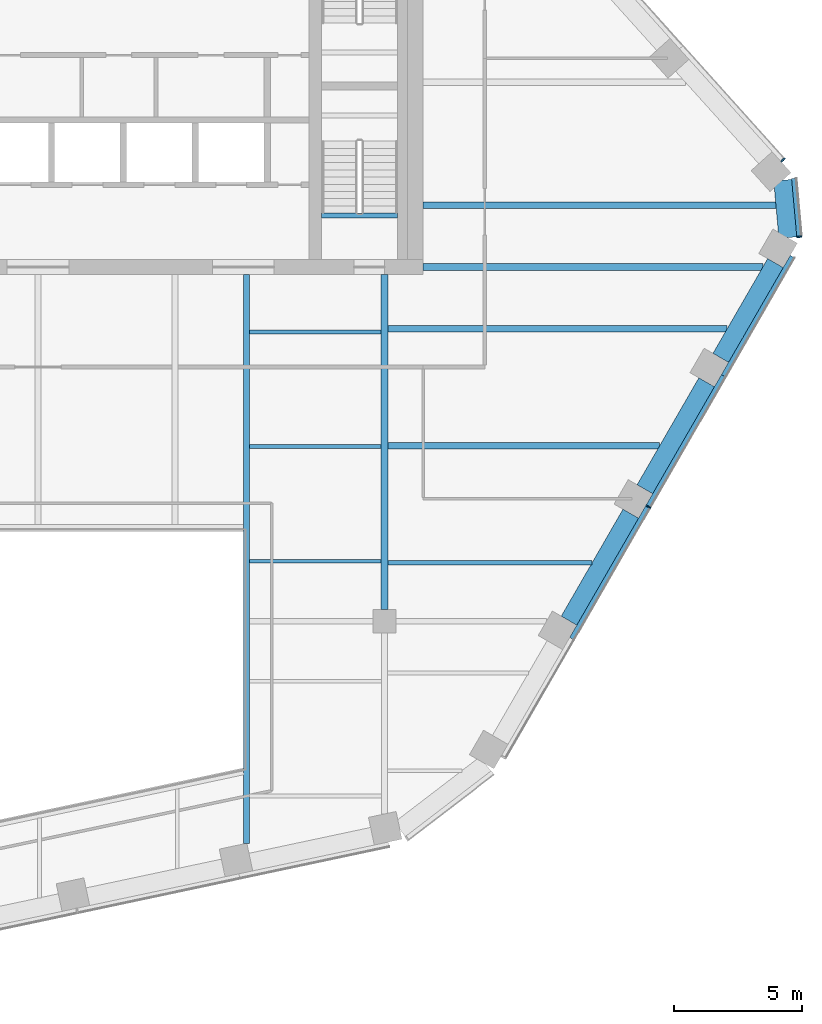
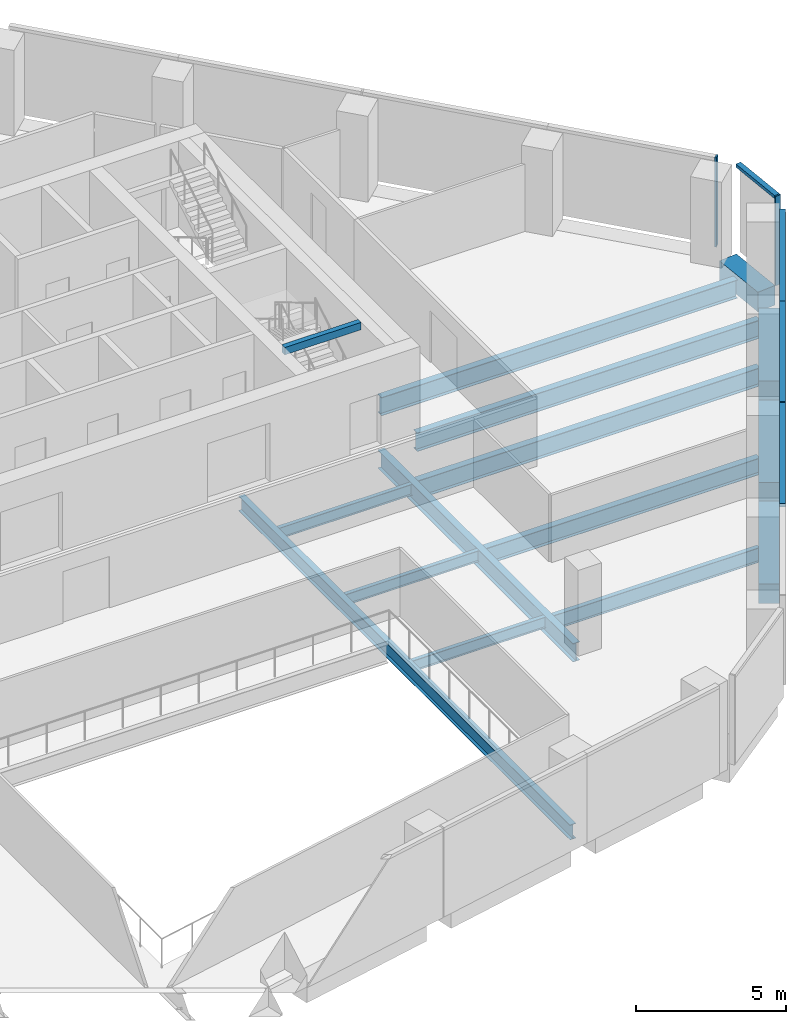
# One storey, part 5 of 15: 15 beams, 7 members, 3 elements without a shape of their own.
"""IFC4 building model written with IfcOpenShell, lengths in metres."""

from ifc_helpers import new_model, si_unit, direction, frame, origin, origin_2d, place, context, subcontext, project, spatial, rectangle, i_section, extrude, material, layer, layer_set, material_profile, profile_set, type_object, element, aggregate, save


model = new_model("IFC4")

# Units and contexts
model_context = context("Model", 3, precision=1e-05, world=origin(), true_north=direction((0.0, 1.0)))
body_context = subcontext(model_context, "Body", "Model", "MODEL_VIEW")
ifc_project = project(units=[si_unit("LENGTHUNIT", "METRE"), si_unit("AREAUNIT", "SQUARE_METRE"), si_unit("VOLUMEUNIT", "CUBIC_METRE"), si_unit("PLANEANGLEUNIT", "RADIAN"), si_unit("MASSUNIT", "GRAM", prefix="KILO")], contexts=[model_context])

# Site, building, storey
site_placement = place(None, origin())
site = spatial("IfcSite", under=ifc_project, at=site_placement, CompositionType="ELEMENT")
building_placement = place(site_placement, origin())
building = spatial("IfcBuilding", under=site, at=building_placement, Name="Isthmus Gate Tower", CompositionType="ELEMENT")
storey_placement = place(building_placement, frame((0.0, 0.0, 241.85009765625)))
storey = spatial("IfcBuildingStorey", under=building, at=storey_placement, Name="L61", CompositionType="ELEMENT", Elevation=241.85009765625)

# Curtain wall, member
ifc_material_1 = material(Name="Aluminium, pale champagne anodised", Category="aluminium")
ifc_layer = layer(ifc_material_1, 0.199951171875)
ifc_layer_set = layer_set([ifc_layer], Name="CW-1 UNITISED CURTAIN WALL 200 DEEP")
curtain_wall_type = type_object("IfcCurtainWallType", Name="CW-1 UNITISED CURTAIN WALL 200 DEEP", PredefinedType="NOTDEFINED", material=ifc_layer_set)
curtain_wall_1_placement = place(storey_placement, origin())
curtain_wall_1 = element("IfcCurtainWall", 1, at=curtain_wall_1_placement, inside=storey, type_object=curtain_wall_type, Name="CW-1 SE L61", PredefinedType="NOTDEFINED")
ifc_material_2 = material(Name="Aluminium, pale champagne anodised", Category="aluminium")
ifc_material_profile_1 = material_profile(ifc_material_2, rectangle(XDim=0.06005859375, YDim=0.199951171875, at=origin_2d()), Name="60x200")
ifc_profile_set_1 = profile_set([ifc_material_profile_1], Name="Aluminium, pale champagne anodised")
member_type_1 = type_object("IfcMemberType", Name="CW-1 MULLION 60 X 200", PredefinedType="MULLION", material=ifc_profile_set_1)
member_1_placement = place(storey_placement, frame((23.767333984375, -9.033935546875, 0.0), z_axis=(0.0, 0.0, 1.0), x_axis=(0.5, 0.866025403784, 0.0)))
member_1 = element("IfcMember", 2, at=member_1_placement, type_object=member_type_1, Name="CW-1 mullion", PredefinedType="MULLION", context=body_context, shape_type="SweptSolid", body=[
    extrude(rectangle(XDim=0.06005859375, YDim=0.199951171875, at=origin_2d()), origin(), (0.0, 0.0, 1.0), 3.64990234375),
])

curtain_wall_2_placement = place(storey_placement, origin())
curtain_wall_2 = element("IfcCurtainWall", 3, at=curtain_wall_2_placement, inside=storey, type_object=curtain_wall_type, Name="CW-1 SE-NE L61", PredefinedType="NOTDEFINED")
member_2_placement = place(storey_placement, frame((29.654296875, 1.4765625, 0.0), z_axis=(0.0, 0.0, 1.0), x_axis=(-0.089396669717, 0.995996102123, 0.0)))
member_2 = element("IfcMember", 4, at=member_2_placement, type_object=member_type_1, Name="CW-1 mullion", PredefinedType="MULLION", context=body_context, shape_type="SweptSolid", body=[
    extrude(rectangle(XDim=0.06005859375, YDim=0.199951171875, at=origin_2d()), origin(), (0.0, 0.0, 1.0), 3.64990234375),
])

curtain_wall_3_placement = place(storey_placement, origin())
curtain_wall_3 = element("IfcCurtainWall", 5, at=curtain_wall_3_placement, inside=storey, type_object=curtain_wall_type, Name="CW-1 NE L61", PredefinedType="NOTDEFINED")
member_3_placement = place(storey_placement, frame((29.016357421875, 4.46923828125, 0.0), z_axis=(0.0, 0.0, 1.0), x_axis=(-0.669130606359, 0.743144825477, 0.0)))
member_3 = element("IfcMember", 6, at=member_3_placement, type_object=member_type_1, Name="CW-1 mullion", PredefinedType="MULLION", context=body_context, shape_type="SweptSolid", body=[
    extrude(rectangle(XDim=0.06005859375, YDim=0.199951171875, at=origin_2d()), origin(), (0.0, 0.0, 1.0), 3.64990234375),
])
aggregate(curtain_wall_3, [member_3])

# Member
ifc_material_3 = material(Name="Aluminium, pale champagne anodised", Category="aluminium")
ifc_material_profile_2 = material_profile(ifc_material_3, rectangle(XDim=0.199951171875, YDim=0.1298828125, at=origin_2d()), Name="200x130")
ifc_profile_set_2 = profile_set([ifc_material_profile_2], Name="Aluminium, pale champagne anodised")
member_type_2 = type_object("IfcMemberType", Name="CW-1 TRANSOM 200 X 130", PredefinedType="USERDEFINED", material=ifc_profile_set_2)
member_4_placement = place(storey_placement, frame((20.796875, -14.178466796875, 3.5849609375), z_axis=(0.500008496284, 0.866020498397, 0.0), x_axis=(-0.866020498397, 0.500008496284, 0.0)))
member_4 = element("IfcMember", 7, at=member_4_placement, type_object=member_type_2, Name="CW-1 transom", ObjectType="TRANSOM", PredefinedType="USERDEFINED", context=body_context, shape_type="SweptSolid", body=[
    extrude(rectangle(XDim=0.199951171875, YDim=0.1298828125, at=origin_2d()), origin(), (0.0, 0.0, 1.0), 5.91064453125),
])

member_5_placement = place(storey_placement, frame((23.7822265625, -9.0078125, 3.5849609375), z_axis=(0.500007820066, 0.86602088882, 0.0), x_axis=(-0.86602088882, 0.500007820066, 0.0)))
member_5 = element("IfcMember", 8, at=member_5_placement, type_object=member_type_2, Name="CW-1 transom", ObjectType="TRANSOM", PredefinedType="USERDEFINED", context=body_context, shape_type="SweptSolid", body=[
    extrude(rectangle(XDim=0.199951171875, YDim=0.1298828125, at=origin_2d()), origin(), (0.0, 0.0, 1.0), 5.8505859375),
])

member_6_placement = place(storey_placement, frame((26.70751953125, -3.941162109375, 3.5849609375), z_axis=(0.50002338526, 0.866011901877, 0.0), x_axis=(-0.866011901877, 0.50002338526, 0.0)))
member_6 = element("IfcMember", 9, at=member_6_placement, type_object=member_type_2, Name="CW-1 transom", ObjectType="TRANSOM", PredefinedType="USERDEFINED", context=body_context, shape_type="SweptSolid", body=[
    extrude(rectangle(XDim=0.199951171875, YDim=0.1298828125, at=origin_2d()), origin(), (0.0, 0.0, 1.0), 5.360595703125),
])

aggregate(curtain_wall_1, [member_4, member_1, member_5, member_6])

member_7_placement = place(storey_placement, frame((29.651611328125, 1.506591796875, 3.5849609375), z_axis=(-0.089395362867, 0.995996219419, 0.0), x_axis=(-0.995996219419, -0.089395362867, 0.0)))
member_7 = element("IfcMember", 10, at=member_7_placement, type_object=member_type_2, Name="CW-1 transom", ObjectType="TRANSOM", PredefinedType="USERDEFINED", context=body_context, shape_type="SweptSolid", body=[
    extrude(rectangle(XDim=0.199951171875, YDim=0.1298828125, at=origin_2d()), origin(), (0.0, 0.0, 1.0), 2.258544921875),
])

aggregate(curtain_wall_2, [member_2, member_7])

# Beams
ifc_material_4 = material(Name="Concrete f'c 50 MPa", Category="concrete")
ifc_material_profile_3 = material_profile(ifc_material_4, rectangle(XDim=0.699951171875, YDim=0.800048828125, at=origin_2d()), Name="RC 700X800")
ifc_profile_set_3 = profile_set([ifc_material_profile_3], Name="Concrete f'c 50 MPa")
beam_type_1 = type_object("IfcBeamType", Name="RC SPANDREL 700 X 800", PredefinedType="SPANDREL", material=ifc_profile_set_3)
beam_1_placement = place(storey_placement, frame((29.0048828125, 3.678466796875, -0.400146484375), z_axis=(0.089359478208, -0.995999439585, 0.0), x_axis=(0.995999439585, 0.089359478208, 0.0)))
element("IfcBeam", 11, at=beam_1_placement, inside=storey, type_object=beam_type_1, Name="str-spandrel-L61-05", PredefinedType="SPANDREL", context=body_context, shape_type="SweptSolid", body=[
    extrude(rectangle(XDim=0.699951171875, YDim=0.800048828125, at=origin_2d()), origin(), (0.0, 0.0, 1.0), 2.245849609375),
])
beam_2_placement = place(storey_placement, frame((28.72314453125, 0.449951171875, -0.400146484375), z_axis=(-0.500021719575, -0.866012863619, 0.0), x_axis=(0.866012863619, -0.500021719575, 0.0)))
element("IfcBeam", 12, at=beam_2_placement, inside=storey, type_object=beam_type_1, Name="str-spandrel-L61-06", PredefinedType="SPANDREL", context=body_context, shape_type="SweptSolid", body=[
    extrude(rectangle(XDim=0.699951171875, YDim=0.800048828125, at=origin_2d()), origin(), (0.0, 0.0, 1.0), 4.260498046875),
])
for number, where, z_axis, x_axis, name in (
    (13, (26.04296875, -4.1923828125, -0.400146484375), (-0.500019702373, -0.866014028315, 0.0), (0.866014028315, -0.500019702373, 0.0), "str-spandrel-L61-07"),
    (14, (23.087646484375, -9.31103515625, -0.400146484375), (-0.49998164095, -0.866036003127, 0.0), (0.866036003127, -0.49998164095, 0.0), "str-spandrel-L61-08"),
):
    element("IfcBeam", number, at=place(storey_placement, frame(where, z_axis=z_axis, x_axis=x_axis)), inside=storey, type_object=beam_type_1, Name=name, PredefinedType="SPANDREL", context=body_context, shape_type="SweptSolid", body=[
        extrude(rectangle(XDim=0.699951171875, YDim=0.800048828125, at=origin_2d()), origin(), (0.0, 0.0, 1.0), 4.810791015625),
    ])
ifc_material_5 = material(Name="Concrete f'c 40 MPa", Category="concrete")
ifc_material_profile_4 = material_profile(ifc_material_5, rectangle(XDim=0.199951171875, YDim=0.300048828125, at=origin_2d()), Name="STAIR LANDING BEAM RC 200 X 300")
ifc_profile_set_4 = profile_set([ifc_material_profile_4], Name="Concrete f'c 40 MPa")
beam_type_2 = type_object("IfcBeamType", Name="STAIR LANDING BEAM RC 200 X 300", PredefinedType="BEAM", material=ifc_profile_set_4)
beam_3_placement = place(storey_placement, frame((11.050048828125, 2.2998046875, 3.349853515625), z_axis=(1.0, 0.0, 0.0), x_axis=(0.0, 1.0, 0.0)))
element("IfcBeam", 15, at=beam_3_placement, inside=storey, type_object=beam_type_2, Name="L61 ST8 floor-edge seat beam", PredefinedType="BEAM", context=body_context, shape_type="SweptSolid", body=[
    extrude(rectangle(XDim=0.199951171875, YDim=0.300048828125, at=origin_2d()), origin(), (0.0, 0.0, 1.0), 2.949951171875),
])
ifc_material_6 = material(Name="Structural steel ASTM A992 Gr 50", Category="steel")
ifc_material_profile_5 = material_profile(ifc_material_6, i_section(OverallWidth=0.15234375, OverallDepth=0.45068359375, WebThickness=0.0078125, FlangeThickness=0.010986328125, at=origin_2d()), Name="W18X35")
ifc_profile_set_5 = profile_set([ifc_material_profile_5], Name="Structural steel ASTM A992 Gr 50")
beam_type_3 = type_object("IfcBeamType", Name="STEEL FLOOR BEAM W18X35", PredefinedType="JOIST", material=ifc_profile_set_5)
for number, where, z_axis, x_axis, name in (
    (16, (8.228515625, -11.16259765625, -0.37548828125), (1.0, 0.0, 0.0), (0.0, 1.0, 0.0), "str-beam-L61-10-00"),
    (17, (8.228515625, -6.697509765625, -0.37548828125), (1.0, 0.0, 0.0), (0.0, 1.0, 0.0), "str-beam-L61-10-01"),
    (18, (8.228515625, -2.232421875, -0.37548828125), (1.0, 0.0, 0.0), (0.0, 1.0, 0.0), "str-beam-L61-10-02"),
):
    element("IfcBeam", number, at=place(storey_placement, frame(where, z_axis=z_axis, x_axis=x_axis)), inside=storey, type_object=beam_type_3, Name=name, PredefinedType="JOIST", context=body_context, shape_type="SweptSolid", body=[
        extrude(i_section(OverallWidth=0.15234375, OverallDepth=0.45068359375, WebThickness=0.0078125, FlangeThickness=0.010986328125, at=origin_2d()), origin(), (0.0, 0.0, 1.0), 5.1396484375),
    ])
ifc_material_7 = material(Name="Structural steel ASTM A992 Gr 50", Category="steel")
ifc_material_profile_6 = material_profile(ifc_material_7, i_section(OverallWidth=0.177734375, OverallDepth=0.60009765625, WebThickness=0.009521484375, FlangeThickness=0.0126953125, at=origin_2d()), Name="W24X55")
ifc_profile_set_6 = profile_set([ifc_material_profile_6], Name="Structural steel ASTM A992 Gr 50")
beam_type_4 = type_object("IfcBeamType", Name="STEEL FLOOR BEAM W24X55", PredefinedType="JOIST", material=ifc_profile_set_6)
beam_4_placement = place(storey_placement, frame((13.6318359375, -11.221923828125, -0.4501953125), z_axis=(1.0, 0.0, 0.0), x_axis=(0.0, 1.0, 0.0)))
element("IfcBeam", 19, at=beam_4_placement, inside=storey, type_object=beam_type_4, Name="str-beam-L61-12-00", PredefinedType="JOIST", context=body_context, shape_type="SweptSolid", body=[
    extrude(i_section(OverallWidth=0.177734375, OverallDepth=0.60009765625, WebThickness=0.009521484375, FlangeThickness=0.0126953125, at=origin_2d()), origin(), (0.0, 0.0, 1.0), 7.948486328125),
])
ifc_material_8 = material(Name="Structural steel ASTM A992 Gr 50", Category="steel")
ifc_material_profile_7 = material_profile(ifc_material_8, i_section(OverallWidth=0.25390625, OverallDepth=0.679443359375, WebThickness=0.010986328125, FlangeThickness=0.015869140625, at=origin_2d()), Name="W27X84")
ifc_profile_set_7 = profile_set([ifc_material_profile_7], Name="Structural steel ASTM A992 Gr 50")
beam_type_5 = type_object("IfcBeamType", Name="STEEL FLOOR BEAM W27X84", PredefinedType="JOIST", material=ifc_profile_set_7)
beam_5_placement = place(storey_placement, frame((13.6318359375, -6.665771484375, -0.48974609375), z_axis=(1.0, 0.0, 0.0), x_axis=(0.0, 1.0, 0.0)))
element("IfcBeam", 20, at=beam_5_placement, inside=storey, type_object=beam_type_5, Name="str-beam-L61-12-01", PredefinedType="JOIST", context=body_context, shape_type="SweptSolid", body=[
    extrude(i_section(OverallWidth=0.25390625, OverallDepth=0.679443359375, WebThickness=0.010986328125, FlangeThickness=0.015869140625, at=origin_2d()), origin(), (0.0, 0.0, 1.0), 10.578857421875),
])
ifc_material_9 = material(Name="Structural steel ASTM A992 Gr 50", Category="steel")
ifc_material_profile_8 = material_profile(ifc_material_9, i_section(OverallWidth=0.263427734375, OverallDepth=0.749267578125, WebThickness=0.0126953125, FlangeThickness=0.015869140625, at=origin_2d()), Name="W30X90")
ifc_profile_set_8 = profile_set([ifc_material_profile_8], Name="Structural steel ASTM A992 Gr 50")
beam_type_6 = type_object("IfcBeamType", Name="STEEL FLOOR BEAM W30X90", PredefinedType="JOIST", material=ifc_profile_set_8)
beam_6_placement = place(storey_placement, frame((13.6318359375, -2.10986328125, -0.524658203125), z_axis=(1.0, 0.0, 0.0), x_axis=(0.0, 1.0, 0.0)))
element("IfcBeam", 21, at=beam_6_placement, inside=storey, type_object=beam_type_6, Name="str-beam-L61-12-02", PredefinedType="JOIST", context=body_context, shape_type="SweptSolid", body=[
    extrude(i_section(OverallWidth=0.263427734375, OverallDepth=0.749267578125, WebThickness=0.0126953125, FlangeThickness=0.015869140625, at=origin_2d()), origin(), (0.0, 0.0, 1.0), 13.209228515625),
])
beam_7_placement = place(storey_placement, frame((15.0, 2.699951171875, -0.524658203125), z_axis=(1.0, 0.0, 0.0), x_axis=(0.0, 1.0, 0.0)))
element("IfcBeam", 22, at=beam_7_placement, inside=storey, type_object=beam_type_6, Name="str-beam-L61-13-00", PredefinedType="JOIST", context=body_context, shape_type="SweptSolid", body=[
    extrude(i_section(OverallWidth=0.263427734375, OverallDepth=0.749267578125, WebThickness=0.0126953125, FlangeThickness=0.015869140625, at=origin_2d()), origin(), (0.0, 0.0, 1.0), 13.7412109375),
])
ifc_material_10 = material(Name="Structural steel ASTM A992 Gr 50", Category="steel")
ifc_material_profile_9 = material_profile(ifc_material_10, i_section(OverallWidth=0.263427734375, OverallDepth=0.749267578125, WebThickness=0.0126953125, FlangeThickness=0.015869140625, at=origin_2d()), Name="W30X90")
ifc_profile_set_9 = profile_set([ifc_material_profile_9], Name="Structural steel ASTM A992 Gr 50")
beam_type_7 = type_object("IfcBeamType", Name="STEEL GIRDER W30X90", PredefinedType="BEAM", material=ifc_profile_set_9)
beam_8_placement = place(storey_placement, frame((13.5, -13.050048828125, -0.524658203125), z_axis=(0.0, 1.0, 0.0), x_axis=(-1.0, 0.0, 0.0)))
element("IfcBeam", 23, at=beam_8_placement, inside=storey, type_object=beam_type_7, Name="str-girder-L61-08", PredefinedType="BEAM", context=body_context, shape_type="SweptSolid", body=[
    extrude(i_section(OverallWidth=0.263427734375, OverallDepth=0.749267578125, WebThickness=0.0126953125, FlangeThickness=0.015869140625, at=origin_2d()), origin(), (0.0, 0.0, 1.0), 13.050048828125),
])
beam_9_placement = place(storey_placement, frame((15.0, 0.300048828125, -0.524658203125), z_axis=(1.0, 0.0, 0.0), x_axis=(0.0, 1.0, 0.0)))
element("IfcBeam", 24, at=beam_9_placement, inside=storey, type_object=beam_type_7, Name="str-girder-L61-10", PredefinedType="BEAM", context=body_context, shape_type="SweptSolid", body=[
    extrude(i_section(OverallWidth=0.263427734375, OverallDepth=0.749267578125, WebThickness=0.0126953125, FlangeThickness=0.015869140625, at=origin_2d()), origin(), (0.0, 0.0, 1.0), 13.232421875),
])
ifc_material_11 = material(Name="Structural steel ASTM A992 Gr 50", Category="steel")
ifc_material_profile_10 = material_profile(ifc_material_11, i_section(OverallWidth=0.228515625, OverallDepth=0.6064453125, WebThickness=0.010986328125, FlangeThickness=0.017578125, at=origin_2d()), Name="W24X76")
ifc_profile_set_10 = profile_set([ifc_material_profile_10], Name="Structural steel ASTM A992 Gr 50")
beam_type_8 = type_object("IfcBeamType", Name="STEEL TRIMMER W24X76", PredefinedType="BEAM", material=ifc_profile_set_10)
beam_10_placement = place(storey_placement, frame((8.1142578125, -22.150634765625, -0.453369140625), z_axis=(0.0, 1.0, 0.0), x_axis=(-1.0, 0.0, 0.0)))
element("IfcBeam", 25, at=beam_10_placement, inside=storey, type_object=beam_type_8, Name="str-trimmer-L61-01", PredefinedType="BEAM", context=body_context, shape_type="SweptSolid", body=[
    extrude(i_section(OverallWidth=0.228515625, OverallDepth=0.6064453125, WebThickness=0.010986328125, FlangeThickness=0.017578125, at=origin_2d()), origin(), (0.0, 0.0, 1.0), 22.150634765625),
])

save(model, "model.ifc")
